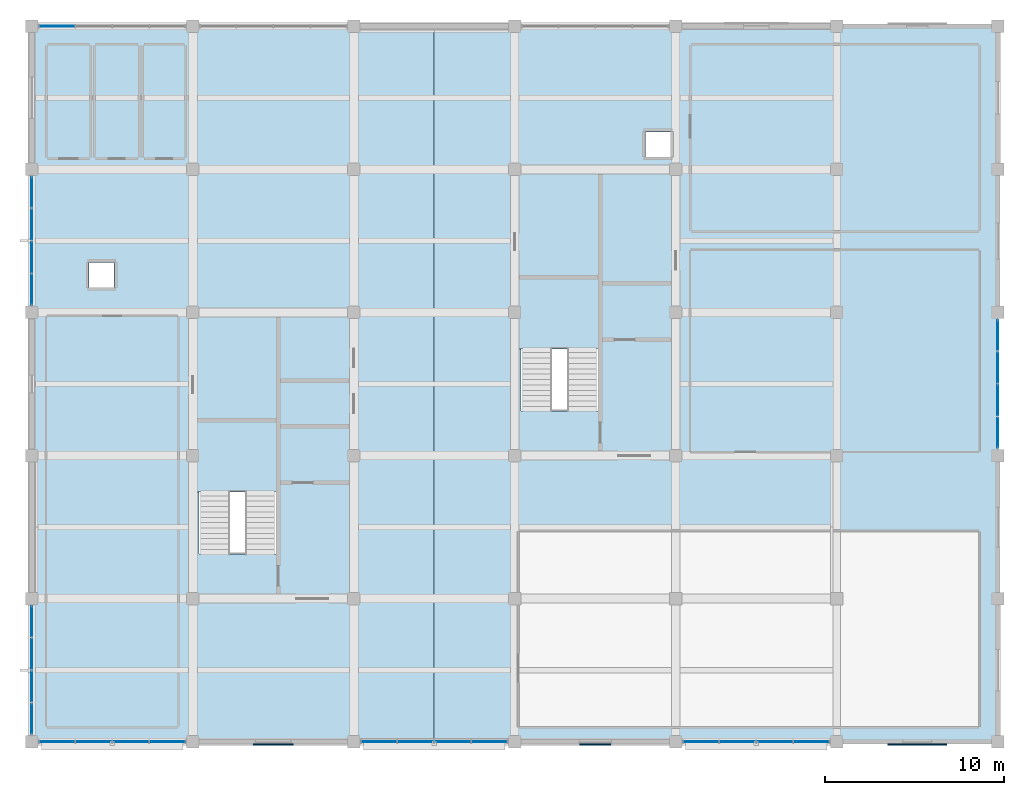
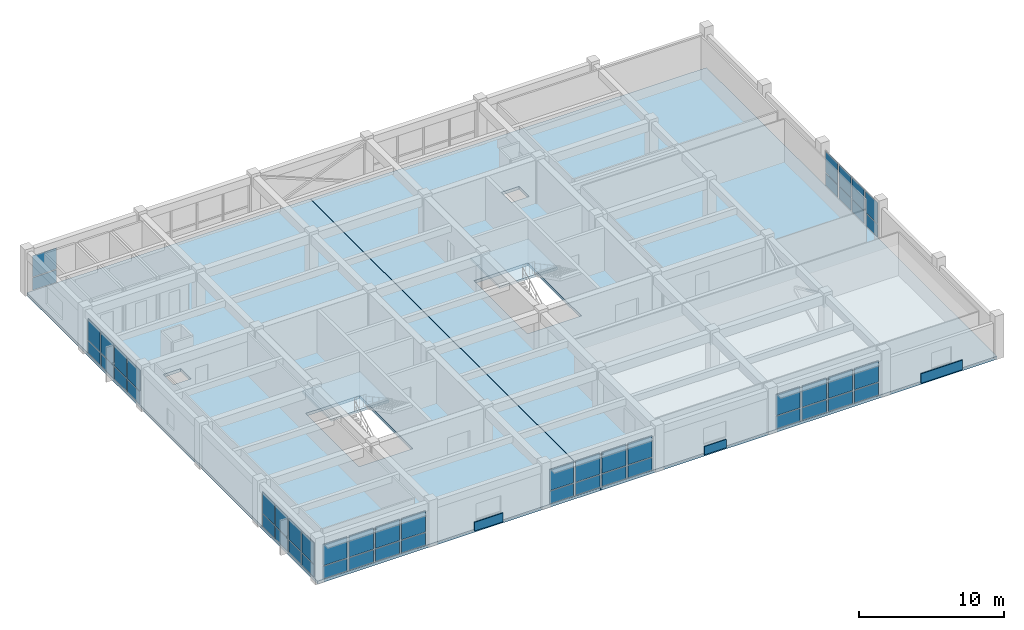
# One storey, part 9 of 13: 53 plates, 4 slabs, 9 elements without a shape of their own.
"""IFC4 building model written with IfcOpenShell, lengths in metres."""

from ifc_helpers import new_model, si_unit, direction, frame, frame_2d, origin, place, context, subcontext, project, spatial, polyline, rectangle, outline, extrude, material, layer, layer_set, type_object, element, aggregate, save


model = new_model("IFC4")

# Units and contexts
model_context = context("Model", 3, precision=1e-05, world=origin(), true_north=direction((0.0, 1.0)))
body_context = subcontext(model_context, "Body", "Model", "MODEL_VIEW")
ifc_project = project(units=[si_unit("LENGTHUNIT", "METRE"), si_unit("AREAUNIT", "SQUARE_METRE"), si_unit("VOLUMEUNIT", "CUBIC_METRE"), si_unit("PLANEANGLEUNIT", "RADIAN"), si_unit("MASSUNIT", "GRAM", prefix="KILO")], contexts=[model_context])

# Site, building, storey
site_placement = place(None, origin())
site = spatial("IfcSite", under=ifc_project, at=site_placement, CompositionType="ELEMENT")
building_placement = place(site_placement, origin())
building = spatial("IfcBuilding", under=site, at=building_placement, Name="Zaverband Oceanarium and Marine Research Institute", CompositionType="ELEMENT")
storey_placement = place(building_placement, frame((0.0, 0.0, 64.800048828125)))
storey = spatial("IfcBuildingStorey", under=building, at=storey_placement, Name="L16", CompositionType="ELEMENT", Elevation=64.800048828125)

# Curtain wall, plates
ifc_material_1 = material(Name="Thermally broken anodized aluminium and solar-control glass", Category="aluminium")
curtain_wall_type = type_object("IfcCurtainWallType", Name="CW-UNIT-1800", PredefinedType="NOTDEFINED", material=ifc_material_1)
curtain_wall_1_placement = place(storey_placement, origin())
curtain_wall_1 = element("IfcCurtainWall", 1, at=curtain_wall_1_placement, inside=storey, type_object=curtain_wall_type, Name="Unitised glazed curtain wall CW-171", PredefinedType="NOTDEFINED")
ifc_material_2 = material(Name="Low-E double-glazed solar-control glass", Category="glass")
ifc_layer_1 = layer(ifc_material_2, 0.033935546875, Name="Low-E double-glazed solar-control glass")
ifc_layer_set_1 = layer_set([ifc_layer_1], Name="Low-E double-glazed solar-control glass")
plate_type_1 = type_object("IfcPlateType", Name="CWP-1570x1043", PredefinedType="CURTAIN_PANEL", material=ifc_layer_set_1)
plate_1_placement = place(storey_placement, frame((9.0, 72.43505859375, 0.050048828125), z_axis=(0.0, 0.0, 1.0), x_axis=(0.0, 1.0, 0.0)))
plate_1 = element("IfcPlate", 2, at=plate_1_placement, type_object=plate_type_1, Name="Glazed curtain wall panel CWP-1570x1043", PredefinedType="CURTAIN_PANEL", context=body_context, shape_type="SweptSolid", body=[
    extrude(rectangle(XDim=1.662353515625, YDim=0.033935546875, at=frame_2d((0.8310546875, 0.0))), origin(), (0.0, 0.0, 1.0), 1.04296875),
])
plate_2_placement = place(storey_placement, frame((9.0, 74.257568359375, 0.050048828125), z_axis=(0.0, 0.0, 1.0), x_axis=(0.0, 1.0, 0.0)))
plate_2 = element("IfcPlate", 3, at=plate_2_placement, type_object=plate_type_1, Name="Glazed curtain wall panel CWP-1570x1043", PredefinedType="CURTAIN_PANEL", context=body_context, shape_type="SweptSolid", body=[
    extrude(rectangle(XDim=1.662353515625, YDim=0.033935546875, at=frame_2d((0.8310546875, 0.0))), origin(), (0.0, 0.0, 1.0), 1.04296875),
])
plate_3_placement = place(storey_placement, frame((9.0, 76.080078125, 0.050048828125), z_axis=(0.0, 0.0, 1.0), x_axis=(0.0, 1.0, 0.0)))
plate_3 = element("IfcPlate", 4, at=plate_3_placement, type_object=plate_type_1, Name="Glazed curtain wall panel CWP-1570x1043", PredefinedType="CURTAIN_PANEL", context=body_context, shape_type="SweptSolid", body=[
    extrude(rectangle(XDim=1.662353515625, YDim=0.033935546875, at=frame_2d((0.8310546875, 0.0))), origin(), (0.0, 0.0, 1.0), 1.04296875),
])
plate_4_placement = place(storey_placement, frame((9.0, 77.902587890625, 0.050048828125), z_axis=(0.0, 0.0, 1.0), x_axis=(0.0, 1.0, 0.0)))
plate_4 = element("IfcPlate", 5, at=plate_4_placement, type_object=plate_type_1, Name="Glazed curtain wall panel CWP-1570x1043", PredefinedType="CURTAIN_PANEL", context=body_context, shape_type="SweptSolid", body=[
    extrude(rectangle(XDim=1.662353515625, YDim=0.033935546875, at=frame_2d((0.8310546875, 0.0))), origin(), (0.0, 0.0, 1.0), 1.04296875),
])

curtain_wall_2_placement = place(storey_placement, origin())
curtain_wall_2 = element("IfcCurtainWall", 6, at=curtain_wall_2_placement, inside=storey, type_object=curtain_wall_type, Name="Unitised glazed curtain wall CW-172", PredefinedType="NOTDEFINED")
plate_5_placement = place(storey_placement, frame((9.0, 96.43505859375, 0.050048828125), z_axis=(0.0, 0.0, 1.0), x_axis=(0.0, 1.0, 0.0)))
plate_5 = element("IfcPlate", 7, at=plate_5_placement, type_object=plate_type_1, Name="Glazed curtain wall panel CWP-1570x1043", PredefinedType="CURTAIN_PANEL", context=body_context, shape_type="SweptSolid", body=[
    extrude(rectangle(XDim=1.662353515625, YDim=0.033935546875, at=frame_2d((0.8310546875, 0.0))), origin(), (0.0, 0.0, 1.0), 1.04296875),
])
plate_6_placement = place(storey_placement, frame((9.0, 98.257568359375, 0.050048828125), z_axis=(0.0, 0.0, 1.0), x_axis=(0.0, 1.0, 0.0)))
plate_6 = element("IfcPlate", 8, at=plate_6_placement, type_object=plate_type_1, Name="Glazed curtain wall panel CWP-1570x1043", PredefinedType="CURTAIN_PANEL", context=body_context, shape_type="SweptSolid", body=[
    extrude(rectangle(XDim=1.662353515625, YDim=0.033935546875, at=frame_2d((0.8310546875, 0.0))), origin(), (0.0, 0.0, 1.0), 1.04296875),
])
plate_7_placement = place(storey_placement, frame((9.0, 100.080078125, 0.050048828125), z_axis=(0.0, 0.0, 1.0), x_axis=(0.0, 1.0, 0.0)))
plate_7 = element("IfcPlate", 9, at=plate_7_placement, type_object=plate_type_1, Name="Glazed curtain wall panel CWP-1570x1043", PredefinedType="CURTAIN_PANEL", context=body_context, shape_type="SweptSolid", body=[
    extrude(rectangle(XDim=1.662353515625, YDim=0.033935546875, at=frame_2d((0.8310546875, 0.0))), origin(), (0.0, 0.0, 1.0), 1.04296875),
])
plate_8_placement = place(storey_placement, frame((9.0, 101.902587890625, 0.050048828125), z_axis=(0.0, 0.0, 1.0), x_axis=(0.0, 1.0, 0.0)))
plate_8 = element("IfcPlate", 10, at=plate_8_placement, type_object=plate_type_1, Name="Glazed curtain wall panel CWP-1570x1043", PredefinedType="CURTAIN_PANEL", context=body_context, shape_type="SweptSolid", body=[
    extrude(rectangle(XDim=1.662353515625, YDim=0.033935546875, at=frame_2d((0.8310546875, 0.0))), origin(), (0.0, 0.0, 1.0), 1.04296875),
])

curtain_wall_3_placement = place(storey_placement, origin())
curtain_wall_3 = element("IfcCurtainWall", 11, at=curtain_wall_3_placement, inside=storey, type_object=curtain_wall_type, Name="Unitised glazed curtain wall CW-173", PredefinedType="NOTDEFINED")
plate_9_placement = place(storey_placement, frame((63.0, 88.43505859375, 0.050048828125), z_axis=(0.0, 0.0, 1.0), x_axis=(0.0, 1.0, 0.0)))
plate_9 = element("IfcPlate", 12, at=plate_9_placement, type_object=plate_type_1, Name="Glazed curtain wall panel CWP-1570x1043", PredefinedType="CURTAIN_PANEL", context=body_context, shape_type="SweptSolid", body=[
    extrude(rectangle(XDim=1.662353515625, YDim=0.033935546875, at=frame_2d((0.8310546875, 0.0))), origin(), (0.0, 0.0, 1.0), 1.04296875),
])
plate_10_placement = place(storey_placement, frame((63.0, 90.257568359375, 0.050048828125), z_axis=(0.0, 0.0, 1.0), x_axis=(0.0, 1.0, 0.0)))
plate_10 = element("IfcPlate", 13, at=plate_10_placement, type_object=plate_type_1, Name="Glazed curtain wall panel CWP-1570x1043", PredefinedType="CURTAIN_PANEL", context=body_context, shape_type="SweptSolid", body=[
    extrude(rectangle(XDim=1.662353515625, YDim=0.033935546875, at=frame_2d((0.8310546875, 0.0))), origin(), (0.0, 0.0, 1.0), 1.04296875),
])
plate_11_placement = place(storey_placement, frame((63.0, 92.080078125, 0.050048828125), z_axis=(0.0, 0.0, 1.0), x_axis=(0.0, 1.0, 0.0)))
plate_11 = element("IfcPlate", 14, at=plate_11_placement, type_object=plate_type_1, Name="Glazed curtain wall panel CWP-1570x1043", PredefinedType="CURTAIN_PANEL", context=body_context, shape_type="SweptSolid", body=[
    extrude(rectangle(XDim=1.662353515625, YDim=0.033935546875, at=frame_2d((0.8310546875, 0.0))), origin(), (0.0, 0.0, 1.0), 1.04296875),
])
plate_12_placement = place(storey_placement, frame((63.0, 93.902587890625, 0.050048828125), z_axis=(0.0, 0.0, 1.0), x_axis=(0.0, 1.0, 0.0)))
plate_12 = element("IfcPlate", 15, at=plate_12_placement, type_object=plate_type_1, Name="Glazed curtain wall panel CWP-1570x1043", PredefinedType="CURTAIN_PANEL", context=body_context, shape_type="SweptSolid", body=[
    extrude(rectangle(XDim=1.662353515625, YDim=0.033935546875, at=frame_2d((0.8310546875, 0.0))), origin(), (0.0, 0.0, 1.0), 1.04296875),
])

# Plate
ifc_layer_2 = layer(ifc_material_2, 0.035888671875, Name="Low-E double-glazed solar-control glass")
ifc_layer_set_2 = layer_set([ifc_layer_2], Name="Low-E double-glazed solar-control glass")
plate_type_2 = type_object("IfcPlateType", Name="CWP-1570x1777", PredefinedType="CURTAIN_PANEL", material=ifc_layer_set_2)
plate_13_placement = place(storey_placement, frame((9.0, 72.43505859375, 1.162841796875), z_axis=(0.0, 0.0, 1.0), x_axis=(0.0, 1.0, 0.0)))
plate_13 = element("IfcPlate", 16, at=plate_13_placement, type_object=plate_type_2, Name="Glazed curtain wall panel CWP-1570x1777", PredefinedType="CURTAIN_PANEL", context=body_context, shape_type="SweptSolid", body=[
    extrude(rectangle(XDim=1.662353515625, YDim=0.035888671875, at=frame_2d((0.8310546875, 0.0))), origin(), (0.0, 0.0, 1.0), 1.777099609375),
])

plate_14_placement = place(storey_placement, frame((9.0, 74.257568359375, 1.162841796875), z_axis=(0.0, 0.0, 1.0), x_axis=(0.0, 1.0, 0.0)))
plate_14 = element("IfcPlate", 17, at=plate_14_placement, type_object=plate_type_2, Name="Glazed curtain wall panel CWP-1570x1777", PredefinedType="CURTAIN_PANEL", context=body_context, shape_type="SweptSolid", body=[
    extrude(rectangle(XDim=1.662353515625, YDim=0.035888671875, at=frame_2d((0.8310546875, 0.0))), origin(), (0.0, 0.0, 1.0), 1.777099609375),
])

plate_15_placement = place(storey_placement, frame((9.0, 76.080078125, 1.162841796875), z_axis=(0.0, 0.0, 1.0), x_axis=(0.0, 1.0, 0.0)))
plate_15 = element("IfcPlate", 18, at=plate_15_placement, type_object=plate_type_2, Name="Glazed curtain wall panel CWP-1570x1777", PredefinedType="CURTAIN_PANEL", context=body_context, shape_type="SweptSolid", body=[
    extrude(rectangle(XDim=1.662353515625, YDim=0.035888671875, at=frame_2d((0.8310546875, 0.0))), origin(), (0.0, 0.0, 1.0), 1.777099609375),
])

plate_16_placement = place(storey_placement, frame((9.0, 77.902587890625, 1.162841796875), z_axis=(0.0, 0.0, 1.0), x_axis=(0.0, 1.0, 0.0)))
plate_16 = element("IfcPlate", 19, at=plate_16_placement, type_object=plate_type_2, Name="Glazed curtain wall panel CWP-1570x1777", PredefinedType="CURTAIN_PANEL", context=body_context, shape_type="SweptSolid", body=[
    extrude(rectangle(XDim=1.662353515625, YDim=0.035888671875, at=frame_2d((0.8310546875, 0.0))), origin(), (0.0, 0.0, 1.0), 1.777099609375),
])

aggregate(curtain_wall_1, [plate_1, plate_13, plate_2, plate_14, plate_3, plate_15, plate_4, plate_16])

plate_17_placement = place(storey_placement, frame((9.0, 96.43505859375, 1.162841796875), z_axis=(0.0, 0.0, 1.0), x_axis=(0.0, 1.0, 0.0)))
plate_17 = element("IfcPlate", 20, at=plate_17_placement, type_object=plate_type_2, Name="Glazed curtain wall panel CWP-1570x1777", PredefinedType="CURTAIN_PANEL", context=body_context, shape_type="SweptSolid", body=[
    extrude(rectangle(XDim=1.662353515625, YDim=0.035888671875, at=frame_2d((0.8310546875, 0.0))), origin(), (0.0, 0.0, 1.0), 1.777099609375),
])

plate_18_placement = place(storey_placement, frame((9.0, 98.257568359375, 1.162841796875), z_axis=(0.0, 0.0, 1.0), x_axis=(0.0, 1.0, 0.0)))
plate_18 = element("IfcPlate", 21, at=plate_18_placement, type_object=plate_type_2, Name="Glazed curtain wall panel CWP-1570x1777", PredefinedType="CURTAIN_PANEL", context=body_context, shape_type="SweptSolid", body=[
    extrude(rectangle(XDim=1.662353515625, YDim=0.035888671875, at=frame_2d((0.8310546875, 0.0))), origin(), (0.0, 0.0, 1.0), 1.777099609375),
])

plate_19_placement = place(storey_placement, frame((9.0, 100.080078125, 1.162841796875), z_axis=(0.0, 0.0, 1.0), x_axis=(0.0, 1.0, 0.0)))
plate_19 = element("IfcPlate", 22, at=plate_19_placement, type_object=plate_type_2, Name="Glazed curtain wall panel CWP-1570x1777", PredefinedType="CURTAIN_PANEL", context=body_context, shape_type="SweptSolid", body=[
    extrude(rectangle(XDim=1.662353515625, YDim=0.035888671875, at=frame_2d((0.8310546875, 0.0))), origin(), (0.0, 0.0, 1.0), 1.777099609375),
])

plate_20_placement = place(storey_placement, frame((9.0, 101.902587890625, 1.162841796875), z_axis=(0.0, 0.0, 1.0), x_axis=(0.0, 1.0, 0.0)))
plate_20 = element("IfcPlate", 23, at=plate_20_placement, type_object=plate_type_2, Name="Glazed curtain wall panel CWP-1570x1777", PredefinedType="CURTAIN_PANEL", context=body_context, shape_type="SweptSolid", body=[
    extrude(rectangle(XDim=1.662353515625, YDim=0.035888671875, at=frame_2d((0.8310546875, 0.0))), origin(), (0.0, 0.0, 1.0), 1.777099609375),
])

aggregate(curtain_wall_2, [plate_5, plate_17, plate_6, plate_18, plate_7, plate_19, plate_8, plate_20])

plate_21_placement = place(storey_placement, frame((63.0, 88.43505859375, 1.162841796875), z_axis=(0.0, 0.0, 1.0), x_axis=(0.0, 1.0, 0.0)))
plate_21 = element("IfcPlate", 24, at=plate_21_placement, type_object=plate_type_2, Name="Glazed curtain wall panel CWP-1570x1777", PredefinedType="CURTAIN_PANEL", context=body_context, shape_type="SweptSolid", body=[
    extrude(rectangle(XDim=1.662353515625, YDim=0.035888671875, at=frame_2d((0.8310546875, 0.0))), origin(), (0.0, 0.0, 1.0), 1.777099609375),
])

plate_22_placement = place(storey_placement, frame((63.0, 90.257568359375, 1.162841796875), z_axis=(0.0, 0.0, 1.0), x_axis=(0.0, 1.0, 0.0)))
plate_22 = element("IfcPlate", 25, at=plate_22_placement, type_object=plate_type_2, Name="Glazed curtain wall panel CWP-1570x1777", PredefinedType="CURTAIN_PANEL", context=body_context, shape_type="SweptSolid", body=[
    extrude(rectangle(XDim=1.662353515625, YDim=0.035888671875, at=frame_2d((0.8310546875, 0.0))), origin(), (0.0, 0.0, 1.0), 1.777099609375),
])

plate_23_placement = place(storey_placement, frame((63.0, 92.080078125, 1.162841796875), z_axis=(0.0, 0.0, 1.0), x_axis=(0.0, 1.0, 0.0)))
plate_23 = element("IfcPlate", 26, at=plate_23_placement, type_object=plate_type_2, Name="Glazed curtain wall panel CWP-1570x1777", PredefinedType="CURTAIN_PANEL", context=body_context, shape_type="SweptSolid", body=[
    extrude(rectangle(XDim=1.662353515625, YDim=0.035888671875, at=frame_2d((0.8310546875, 0.0))), origin(), (0.0, 0.0, 1.0), 1.777099609375),
])

plate_24_placement = place(storey_placement, frame((63.0, 93.902587890625, 1.162841796875), z_axis=(0.0, 0.0, 1.0), x_axis=(0.0, 1.0, 0.0)))
plate_24 = element("IfcPlate", 27, at=plate_24_placement, type_object=plate_type_2, Name="Glazed curtain wall panel CWP-1570x1777", PredefinedType="CURTAIN_PANEL", context=body_context, shape_type="SweptSolid", body=[
    extrude(rectangle(XDim=1.662353515625, YDim=0.035888671875, at=frame_2d((0.8310546875, 0.0))), origin(), (0.0, 0.0, 1.0), 1.777099609375),
])

aggregate(curtain_wall_3, [plate_9, plate_21, plate_10, plate_22, plate_11, plate_23, plate_12, plate_24])

# Curtain wall, plates
curtain_wall_4_placement = place(storey_placement, origin())
curtain_wall_4 = element("IfcCurtainWall", 28, at=curtain_wall_4_placement, inside=storey, type_object=curtain_wall_type, Name="Unitised glazed curtain wall CW-165", PredefinedType="NOTDEFINED")
ifc_layer_3 = layer(ifc_material_2, 0.033935546875, Name="Low-E double-glazed solar-control glass")
ifc_layer_set_3 = layer_set([ifc_layer_3], Name="Low-E double-glazed solar-control glass")
plate_type_3 = type_object("IfcPlateType", Name="CWP-1820x1043", PredefinedType="CURTAIN_PANEL", material=ifc_layer_set_3)
plate_25_placement = place(storey_placement, frame((9.43505859375, 72.0, 0.050048828125), z_axis=(0.0, 0.0, 1.0), x_axis=(1.0, 0.0, 0.0)))
plate_25 = element("IfcPlate", 29, at=plate_25_placement, type_object=plate_type_3, Name="Glazed curtain wall panel CWP-1820x1043", PredefinedType="CURTAIN_PANEL", context=body_context, shape_type="SweptSolid", body=[
    extrude(rectangle(XDim=1.912353515625, YDim=0.033935546875, at=frame_2d((0.9560546875, 0.0))), origin(), (0.0, 0.0, 1.0), 1.04296875),
])
plate_26_placement = place(storey_placement, frame((11.507568359375, 72.0, 0.050048828125), z_axis=(0.0, 0.0, 1.0), x_axis=(1.0, 0.0, 0.0)))
plate_26 = element("IfcPlate", 30, at=plate_26_placement, type_object=plate_type_3, Name="Glazed curtain wall panel CWP-1820x1043", PredefinedType="CURTAIN_PANEL", context=body_context, shape_type="SweptSolid", body=[
    extrude(rectangle(XDim=1.912353515625, YDim=0.033935546875, at=frame_2d((0.9560546875, 0.0))), origin(), (0.0, 0.0, 1.0), 1.04296875),
])
plate_27_placement = place(storey_placement, frame((13.580078125, 72.0, 0.050048828125), z_axis=(0.0, 0.0, 1.0), x_axis=(1.0, 0.0, 0.0)))
plate_27 = element("IfcPlate", 31, at=plate_27_placement, type_object=plate_type_3, Name="Glazed curtain wall panel CWP-1820x1043", PredefinedType="CURTAIN_PANEL", context=body_context, shape_type="SweptSolid", body=[
    extrude(rectangle(XDim=1.912353515625, YDim=0.033935546875, at=frame_2d((0.9560546875, 0.0))), origin(), (0.0, 0.0, 1.0), 1.04296875),
])
plate_28_placement = place(storey_placement, frame((15.652587890625, 72.0, 0.050048828125), z_axis=(0.0, 0.0, 1.0), x_axis=(1.0, 0.0, 0.0)))
plate_28 = element("IfcPlate", 32, at=plate_28_placement, type_object=plate_type_3, Name="Glazed curtain wall panel CWP-1820x1043", PredefinedType="CURTAIN_PANEL", context=body_context, shape_type="SweptSolid", body=[
    extrude(rectangle(XDim=1.912353515625, YDim=0.033935546875, at=frame_2d((0.9560546875, 0.0))), origin(), (0.0, 0.0, 1.0), 1.04296875),
])

curtain_wall_5_placement = place(storey_placement, origin())
curtain_wall_5 = element("IfcCurtainWall", 33, at=curtain_wall_5_placement, inside=storey, type_object=curtain_wall_type, Name="Unitised glazed curtain wall CW-166", PredefinedType="NOTDEFINED")
plate_29_placement = place(storey_placement, frame((27.43505859375, 72.0, 0.050048828125), z_axis=(0.0, 0.0, 1.0), x_axis=(1.0, 0.0, 0.0)))
plate_29 = element("IfcPlate", 34, at=plate_29_placement, type_object=plate_type_3, Name="Glazed curtain wall panel CWP-1820x1043", PredefinedType="CURTAIN_PANEL", context=body_context, shape_type="SweptSolid", body=[
    extrude(rectangle(XDim=1.912353515625, YDim=0.033935546875, at=frame_2d((0.9560546875, 0.0))), origin(), (0.0, 0.0, 1.0), 1.04296875),
])
plate_30_placement = place(storey_placement, frame((29.507568359375, 72.0, 0.050048828125), z_axis=(0.0, 0.0, 1.0), x_axis=(1.0, 0.0, 0.0)))
plate_30 = element("IfcPlate", 35, at=plate_30_placement, type_object=plate_type_3, Name="Glazed curtain wall panel CWP-1820x1043", PredefinedType="CURTAIN_PANEL", context=body_context, shape_type="SweptSolid", body=[
    extrude(rectangle(XDim=1.912353515625, YDim=0.033935546875, at=frame_2d((0.9560546875, 0.0))), origin(), (0.0, 0.0, 1.0), 1.04296875),
])
plate_31_placement = place(storey_placement, frame((31.580078125, 72.0, 0.050048828125), z_axis=(0.0, 0.0, 1.0), x_axis=(1.0, 0.0, 0.0)))
plate_31 = element("IfcPlate", 36, at=plate_31_placement, type_object=plate_type_3, Name="Glazed curtain wall panel CWP-1820x1043", PredefinedType="CURTAIN_PANEL", context=body_context, shape_type="SweptSolid", body=[
    extrude(rectangle(XDim=1.912353515625, YDim=0.033935546875, at=frame_2d((0.9560546875, 0.0))), origin(), (0.0, 0.0, 1.0), 1.04296875),
])
plate_32_placement = place(storey_placement, frame((33.652587890625, 72.0, 0.050048828125), z_axis=(0.0, 0.0, 1.0), x_axis=(1.0, 0.0, 0.0)))
plate_32 = element("IfcPlate", 37, at=plate_32_placement, type_object=plate_type_3, Name="Glazed curtain wall panel CWP-1820x1043", PredefinedType="CURTAIN_PANEL", context=body_context, shape_type="SweptSolid", body=[
    extrude(rectangle(XDim=1.912353515625, YDim=0.033935546875, at=frame_2d((0.9560546875, 0.0))), origin(), (0.0, 0.0, 1.0), 1.04296875),
])

curtain_wall_6_placement = place(storey_placement, origin())
curtain_wall_6 = element("IfcCurtainWall", 38, at=curtain_wall_6_placement, inside=storey, type_object=curtain_wall_type, Name="Unitised glazed curtain wall CW-167", PredefinedType="NOTDEFINED")
plate_33_placement = place(storey_placement, frame((45.43505859375, 72.0, 0.050048828125), z_axis=(0.0, 0.0, 1.0), x_axis=(1.0, 0.0, 0.0)))
plate_33 = element("IfcPlate", 39, at=plate_33_placement, type_object=plate_type_3, Name="Glazed curtain wall panel CWP-1820x1043", PredefinedType="CURTAIN_PANEL", context=body_context, shape_type="SweptSolid", body=[
    extrude(rectangle(XDim=1.912353515625, YDim=0.033935546875, at=frame_2d((0.9560546875, 0.0))), origin(), (0.0, 0.0, 1.0), 1.04296875),
])
plate_34_placement = place(storey_placement, frame((47.507568359375, 72.0, 0.050048828125), z_axis=(0.0, 0.0, 1.0), x_axis=(1.0, 0.0, 0.0)))
plate_34 = element("IfcPlate", 40, at=plate_34_placement, type_object=plate_type_3, Name="Glazed curtain wall panel CWP-1820x1043", PredefinedType="CURTAIN_PANEL", context=body_context, shape_type="SweptSolid", body=[
    extrude(rectangle(XDim=1.912353515625, YDim=0.033935546875, at=frame_2d((0.9560546875, 0.0))), origin(), (0.0, 0.0, 1.0), 1.04296875),
])
plate_35_placement = place(storey_placement, frame((49.580078125, 72.0, 0.050048828125), z_axis=(0.0, 0.0, 1.0), x_axis=(1.0, 0.0, 0.0)))
plate_35 = element("IfcPlate", 41, at=plate_35_placement, type_object=plate_type_3, Name="Glazed curtain wall panel CWP-1820x1043", PredefinedType="CURTAIN_PANEL", context=body_context, shape_type="SweptSolid", body=[
    extrude(rectangle(XDim=1.912353515625, YDim=0.033935546875, at=frame_2d((0.9560546875, 0.0))), origin(), (0.0, 0.0, 1.0), 1.04296875),
])
plate_36_placement = place(storey_placement, frame((51.652587890625, 72.0, 0.050048828125), z_axis=(0.0, 0.0, 1.0), x_axis=(1.0, 0.0, 0.0)))
plate_36 = element("IfcPlate", 42, at=plate_36_placement, type_object=plate_type_3, Name="Glazed curtain wall panel CWP-1820x1043", PredefinedType="CURTAIN_PANEL", context=body_context, shape_type="SweptSolid", body=[
    extrude(rectangle(XDim=1.912353515625, YDim=0.033935546875, at=frame_2d((0.9560546875, 0.0))), origin(), (0.0, 0.0, 1.0), 1.04296875),
])

# Curtain wall, plate
curtain_wall_7_placement = place(storey_placement, origin())
curtain_wall_7 = element("IfcCurtainWall", 43, at=curtain_wall_7_placement, inside=storey, type_object=curtain_wall_type, Name="Unitised glazed curtain wall CW-168", PredefinedType="NOTDEFINED")
plate_37_placement = place(storey_placement, frame((9.43505859375, 112.0, 0.050048828125), z_axis=(0.0, 0.0, 1.0), x_axis=(1.0, 0.0, 0.0)))
plate_37 = element("IfcPlate", 44, at=plate_37_placement, type_object=plate_type_3, Name="Glazed curtain wall panel CWP-1820x1043", PredefinedType="CURTAIN_PANEL", context=body_context, shape_type="SweptSolid", body=[
    extrude(rectangle(XDim=1.912353515625, YDim=0.033935546875, at=frame_2d((0.9560546875, 0.0))), origin(), (0.0, 0.0, 1.0), 1.04296875),
])

# Plate
ifc_layer_4 = layer(ifc_material_2, 0.035888671875, Name="Low-E double-glazed solar-control glass")
ifc_layer_set_4 = layer_set([ifc_layer_4], Name="Low-E double-glazed solar-control glass")
plate_type_4 = type_object("IfcPlateType", Name="CWP-1820x1777", PredefinedType="CURTAIN_PANEL", material=ifc_layer_set_4)
plate_38_placement = place(storey_placement, frame((9.43505859375, 72.0, 1.162841796875), z_axis=(0.0, 0.0, 1.0), x_axis=(1.0, 0.0, 0.0)))
plate_38 = element("IfcPlate", 45, at=plate_38_placement, type_object=plate_type_4, Name="Glazed curtain wall panel CWP-1820x1777", PredefinedType="CURTAIN_PANEL", context=body_context, shape_type="SweptSolid", body=[
    extrude(rectangle(XDim=1.912353515625, YDim=0.035888671875, at=frame_2d((0.9560546875, 0.0))), origin(), (0.0, 0.0, 1.0), 1.777099609375),
])

plate_39_placement = place(storey_placement, frame((11.507568359375, 72.0, 1.162841796875), z_axis=(0.0, 0.0, 1.0), x_axis=(1.0, 0.0, 0.0)))
plate_39 = element("IfcPlate", 46, at=plate_39_placement, type_object=plate_type_4, Name="Glazed curtain wall panel CWP-1820x1777", PredefinedType="CURTAIN_PANEL", context=body_context, shape_type="SweptSolid", body=[
    extrude(rectangle(XDim=1.912353515625, YDim=0.035888671875, at=frame_2d((0.9560546875, 0.0))), origin(), (0.0, 0.0, 1.0), 1.777099609375),
])

plate_40_placement = place(storey_placement, frame((13.580078125, 72.0, 1.162841796875), z_axis=(0.0, 0.0, 1.0), x_axis=(1.0, 0.0, 0.0)))
plate_40 = element("IfcPlate", 47, at=plate_40_placement, type_object=plate_type_4, Name="Glazed curtain wall panel CWP-1820x1777", PredefinedType="CURTAIN_PANEL", context=body_context, shape_type="SweptSolid", body=[
    extrude(rectangle(XDim=1.912353515625, YDim=0.035888671875, at=frame_2d((0.9560546875, 0.0))), origin(), (0.0, 0.0, 1.0), 1.777099609375),
])

plate_41_placement = place(storey_placement, frame((15.652587890625, 72.0, 1.162841796875), z_axis=(0.0, 0.0, 1.0), x_axis=(1.0, 0.0, 0.0)))
plate_41 = element("IfcPlate", 48, at=plate_41_placement, type_object=plate_type_4, Name="Glazed curtain wall panel CWP-1820x1777", PredefinedType="CURTAIN_PANEL", context=body_context, shape_type="SweptSolid", body=[
    extrude(rectangle(XDim=1.912353515625, YDim=0.035888671875, at=frame_2d((0.9560546875, 0.0))), origin(), (0.0, 0.0, 1.0), 1.777099609375),
])

aggregate(curtain_wall_4, [plate_25, plate_38, plate_26, plate_39, plate_27, plate_40, plate_28, plate_41])

plate_42_placement = place(storey_placement, frame((27.43505859375, 72.0, 1.162841796875), z_axis=(0.0, 0.0, 1.0), x_axis=(1.0, 0.0, 0.0)))
plate_42 = element("IfcPlate", 49, at=plate_42_placement, type_object=plate_type_4, Name="Glazed curtain wall panel CWP-1820x1777", PredefinedType="CURTAIN_PANEL", context=body_context, shape_type="SweptSolid", body=[
    extrude(rectangle(XDim=1.912353515625, YDim=0.035888671875, at=frame_2d((0.9560546875, 0.0))), origin(), (0.0, 0.0, 1.0), 1.777099609375),
])

plate_43_placement = place(storey_placement, frame((29.507568359375, 72.0, 1.162841796875), z_axis=(0.0, 0.0, 1.0), x_axis=(1.0, 0.0, 0.0)))
plate_43 = element("IfcPlate", 50, at=plate_43_placement, type_object=plate_type_4, Name="Glazed curtain wall panel CWP-1820x1777", PredefinedType="CURTAIN_PANEL", context=body_context, shape_type="SweptSolid", body=[
    extrude(rectangle(XDim=1.912353515625, YDim=0.035888671875, at=frame_2d((0.9560546875, 0.0))), origin(), (0.0, 0.0, 1.0), 1.777099609375),
])

plate_44_placement = place(storey_placement, frame((31.580078125, 72.0, 1.162841796875), z_axis=(0.0, 0.0, 1.0), x_axis=(1.0, 0.0, 0.0)))
plate_44 = element("IfcPlate", 51, at=plate_44_placement, type_object=plate_type_4, Name="Glazed curtain wall panel CWP-1820x1777", PredefinedType="CURTAIN_PANEL", context=body_context, shape_type="SweptSolid", body=[
    extrude(rectangle(XDim=1.912353515625, YDim=0.035888671875, at=frame_2d((0.9560546875, 0.0))), origin(), (0.0, 0.0, 1.0), 1.777099609375),
])

plate_45_placement = place(storey_placement, frame((33.652587890625, 72.0, 1.162841796875), z_axis=(0.0, 0.0, 1.0), x_axis=(1.0, 0.0, 0.0)))
plate_45 = element("IfcPlate", 52, at=plate_45_placement, type_object=plate_type_4, Name="Glazed curtain wall panel CWP-1820x1777", PredefinedType="CURTAIN_PANEL", context=body_context, shape_type="SweptSolid", body=[
    extrude(rectangle(XDim=1.912353515625, YDim=0.035888671875, at=frame_2d((0.9560546875, 0.0))), origin(), (0.0, 0.0, 1.0), 1.777099609375),
])

aggregate(curtain_wall_5, [plate_29, plate_42, plate_30, plate_43, plate_31, plate_44, plate_32, plate_45])

plate_46_placement = place(storey_placement, frame((45.43505859375, 72.0, 1.162841796875), z_axis=(0.0, 0.0, 1.0), x_axis=(1.0, 0.0, 0.0)))
plate_46 = element("IfcPlate", 53, at=plate_46_placement, type_object=plate_type_4, Name="Glazed curtain wall panel CWP-1820x1777", PredefinedType="CURTAIN_PANEL", context=body_context, shape_type="SweptSolid", body=[
    extrude(rectangle(XDim=1.912353515625, YDim=0.035888671875, at=frame_2d((0.9560546875, 0.0))), origin(), (0.0, 0.0, 1.0), 1.777099609375),
])

plate_47_placement = place(storey_placement, frame((47.507568359375, 72.0, 1.162841796875), z_axis=(0.0, 0.0, 1.0), x_axis=(1.0, 0.0, 0.0)))
plate_47 = element("IfcPlate", 54, at=plate_47_placement, type_object=plate_type_4, Name="Glazed curtain wall panel CWP-1820x1777", PredefinedType="CURTAIN_PANEL", context=body_context, shape_type="SweptSolid", body=[
    extrude(rectangle(XDim=1.912353515625, YDim=0.035888671875, at=frame_2d((0.9560546875, 0.0))), origin(), (0.0, 0.0, 1.0), 1.777099609375),
])

plate_48_placement = place(storey_placement, frame((49.580078125, 72.0, 1.162841796875), z_axis=(0.0, 0.0, 1.0), x_axis=(1.0, 0.0, 0.0)))
plate_48 = element("IfcPlate", 55, at=plate_48_placement, type_object=plate_type_4, Name="Glazed curtain wall panel CWP-1820x1777", PredefinedType="CURTAIN_PANEL", context=body_context, shape_type="SweptSolid", body=[
    extrude(rectangle(XDim=1.912353515625, YDim=0.035888671875, at=frame_2d((0.9560546875, 0.0))), origin(), (0.0, 0.0, 1.0), 1.777099609375),
])

plate_49_placement = place(storey_placement, frame((51.652587890625, 72.0, 1.162841796875), z_axis=(0.0, 0.0, 1.0), x_axis=(1.0, 0.0, 0.0)))
plate_49 = element("IfcPlate", 56, at=plate_49_placement, type_object=plate_type_4, Name="Glazed curtain wall panel CWP-1820x1777", PredefinedType="CURTAIN_PANEL", context=body_context, shape_type="SweptSolid", body=[
    extrude(rectangle(XDim=1.912353515625, YDim=0.035888671875, at=frame_2d((0.9560546875, 0.0))), origin(), (0.0, 0.0, 1.0), 1.777099609375),
])

aggregate(curtain_wall_6, [plate_33, plate_46, plate_34, plate_47, plate_35, plate_48, plate_36, plate_49])

plate_50_placement = place(storey_placement, frame((9.43505859375, 112.0, 1.162841796875), z_axis=(0.0, 0.0, 1.0), x_axis=(1.0, 0.0, 0.0)))
plate_50 = element("IfcPlate", 57, at=plate_50_placement, type_object=plate_type_4, Name="Glazed curtain wall panel CWP-1820x1777", PredefinedType="CURTAIN_PANEL", context=body_context, shape_type="SweptSolid", body=[
    extrude(rectangle(XDim=1.912353515625, YDim=0.035888671875, at=frame_2d((0.9560546875, 0.0))), origin(), (0.0, 0.0, 1.0), 1.777099609375),
])

aggregate(curtain_wall_7, [plate_37, plate_50])

# Plates
ifc_material_3 = material(Name="Concrete C40/50 precast ochre", Category="concrete")
ifc_layer_5 = layer(ifc_material_3, 0.070068359375, Name="Concrete C40/50 precast ochre")
ifc_layer_set_5 = layer_set([ifc_layer_5], Name="Concrete C40/50 precast ochre")
plate_type_5 = type_object("IfcPlateType", Name="FRP-1750x700", PredefinedType="USERDEFINED", material=ifc_layer_set_5)
plate_51_placement = place(storey_placement, frame((39.625, 71.847412109375, 0.0), z_axis=(0.0, 0.0, 1.0), x_axis=(1.0, 0.0, 0.0)))
element("IfcPlate", 58, at=plate_51_placement, inside=storey, type_object=plate_type_5, Name="Geometric precast facade cladding panel FRP-1750x700", ObjectType="FLANGE_PLATE", PredefinedType="USERDEFINED", context=body_context, shape_type="SweptSolid", body=[
    extrude(rectangle(XDim=1.75, YDim=0.070068359375, at=frame_2d((0.875, 0.0))), origin(), (0.0, 0.0, 1.0), 0.699951171875),
])
ifc_layer_6 = layer(ifc_material_3, 0.074951171875, Name="Concrete C40/50 precast ochre")
ifc_layer_set_6 = layer_set([ifc_layer_6], Name="Concrete C40/50 precast ochre")
plate_type_6 = type_object("IfcPlateType", Name="FRP-2250x740", PredefinedType="USERDEFINED", material=ifc_layer_set_6)
plate_52_placement = place(storey_placement, frame((21.375, 71.844970703125, 0.0), z_axis=(0.0, 0.0, 1.0), x_axis=(1.0, 0.0, 0.0)))
element("IfcPlate", 59, at=plate_52_placement, inside=storey, type_object=plate_type_6, Name="Geometric precast facade cladding panel FRP-2250x740", ObjectType="FLANGE_PLATE", PredefinedType="USERDEFINED", context=body_context, shape_type="SweptSolid", body=[
    extrude(rectangle(XDim=2.25, YDim=0.074951171875, at=frame_2d((1.125, 0.0))), origin(), (0.0, 0.0, 1.0), 0.739990234375),
])
ifc_layer_7 = layer(ifc_material_3, 0.0849609375, Name="Concrete C40/50 precast ochre")
ifc_layer_set_7 = layer_set([ifc_layer_7], Name="Concrete C40/50 precast ochre")
plate_type_7 = type_object("IfcPlateType", Name="FRP-3300x800", PredefinedType="USERDEFINED", material=ifc_layer_set_7)
plate_53_placement = place(storey_placement, frame((56.85009765625, 71.840087890625, 0.0), z_axis=(0.0, 0.0, 1.0), x_axis=(1.0, 0.0, 0.0)))
element("IfcPlate", 60, at=plate_53_placement, inside=storey, type_object=plate_type_7, Name="Geometric precast facade cladding panel FRP-3300x800", ObjectType="FLANGE_PLATE", PredefinedType="USERDEFINED", context=body_context, shape_type="SweptSolid", body=[
    extrude(rectangle(XDim=3.2998046875, YDim=0.0849609375, at=frame_2d((1.64990234375, 0.0))), origin(), (0.0, 0.0, 1.0), 0.800048828125),
])

# Slabs
ifc_material_4 = material(Name="Concrete C40/50", Category="concrete")
ifc_layer_8 = layer(ifc_material_4, 0.25, Name="Concrete C40/50")
ifc_layer_set_8 = layer_set([ifc_layer_8], Name="Concrete C40/50")
slab_type_1 = type_object("IfcSlabType", Name="SLB-LAB-250", PredefinedType="FLOOR", material=ifc_layer_set_8)
slab_1_placement = place(storey_placement, frame((0.0, 0.0, -0.25)))
element("IfcSlab", 61, at=slab_1_placement, inside=storey, type_object=slab_type_1, Name="Suspended floor slab SLB-LAB-250", PredefinedType="FLOOR", context=body_context, shape_type="SweptSolid", body=[
    extrude(outline(polyline([(9.0, 112.0), (31.485107421875, 112.0), (31.485107421875, 72.0), (9.0, 72.0), (9.0, 112.0)]), holes=[polyline([(18.35009765625, 89.85009765625), (18.35009765625, 82.5), (22.64990234375, 82.5), (22.64990234375, 89.85009765625), (18.35009765625, 89.85009765625)]), polyline([(12.199951171875, 98.800048828125), (12.199951171875, 97.39990234375), (13.60009765625, 97.39990234375), (13.60009765625, 98.800048828125), (12.199951171875, 98.800048828125)])]), origin(), (0.0, 0.0, 1.0), 0.25),
])
slab_2_placement = place(storey_placement, frame((0.0, 0.0, -0.25)))
element("IfcSlab", 62, at=slab_2_placement, inside=storey, type_object=slab_type_1, Name="Suspended floor slab SLB-LAB-250", PredefinedType="FLOOR", context=body_context, shape_type="SweptSolid", body=[
    extrude(outline(polyline([(31.514892578125, 112.0), (63.0, 112.0), (63.0, 72.0), (31.514892578125, 72.0), (31.514892578125, 112.0)]), holes=[polyline([(36.35009765625, 97.85009765625), (36.35009765625, 90.5), (40.64990234375, 90.5), (40.64990234375, 97.85009765625), (36.35009765625, 97.85009765625)]), polyline([(43.300048828125, 106.10009765625), (43.300048828125, 104.699951171875), (44.699951171875, 104.699951171875), (44.699951171875, 106.10009765625), (43.300048828125, 106.10009765625)])]), origin(), (0.0, 0.0, 1.0), 0.25),
])

# Stair, slab
stair_type = type_object("IfcStairType", Name="STR-TWR-1650-3900", PredefinedType="HALF_TURN_STAIR", material=ifc_material_4)
stair_1_placement = place(storey_placement, origin())
stair_1 = element("IfcStair", 63, at=stair_1_placement, inside=storey, type_object=stair_type, Name="Exit Stair ST-01 (L16)", PredefinedType="HALF_TURN_STAIR")
ifc_layer_9 = layer(ifc_material_4, 0.199951171875, Name="Concrete C40/50")
ifc_layer_set_9 = layer_set([ifc_layer_9], Name="Concrete C40/50")
slab_type_2 = type_object("IfcSlabType", Name="SLB-LND-200", PredefinedType="LANDING", material=ifc_layer_set_9)
slab_3_placement = place(storey_placement, frame((0.0, 0.0, 1.75)))
slab_3 = element("IfcSlab", 64, at=slab_3_placement, type_object=slab_type_2, Name="Stair / ramp landing slab SLB-LND-200", PredefinedType="LANDING", context=body_context, shape_type="SweptSolid", body=[
    extrude(outline(polyline([(18.139892578125, 85.969970703125), (22.735107421875, 85.969970703125), (22.735107421875, 89.93505859375), (18.139892578125, 89.93505859375), (18.139892578125, 85.969970703125)])), origin(), (0.0, 0.0, 1.0), 0.199951171875),
])
aggregate(stair_1, [slab_3])

stair_2_placement = place(storey_placement, origin())
stair_2 = element("IfcStair", 65, at=stair_2_placement, inside=storey, type_object=stair_type, Name="Exit Stair ST-02 (L16)", PredefinedType="HALF_TURN_STAIR")
slab_4_placement = place(storey_placement, frame((0.0, 0.0, 1.75)))
slab_4 = element("IfcSlab", 66, at=slab_4_placement, type_object=slab_type_2, Name="Stair / ramp landing slab SLB-LND-200", PredefinedType="LANDING", context=body_context, shape_type="SweptSolid", body=[
    extrude(outline(polyline([(36.139892578125, 93.969970703125), (40.735107421875, 93.969970703125), (40.735107421875, 97.93505859375), (36.139892578125, 97.93505859375), (36.139892578125, 93.969970703125)])), origin(), (0.0, 0.0, 1.0), 0.199951171875),
])
aggregate(stair_2, [slab_4])

save(model, "model.ifc")
